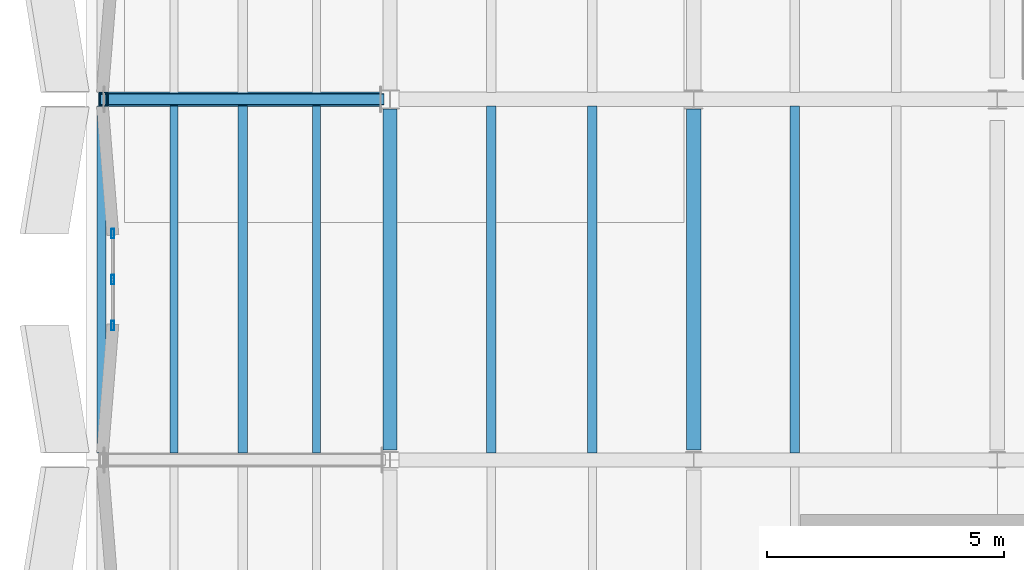
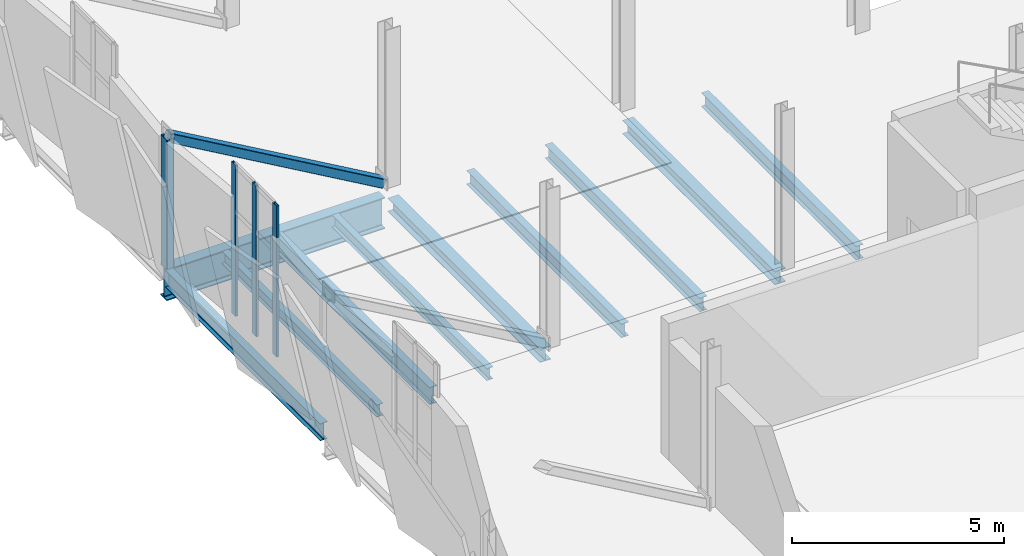
# One storey, part 35 of 172: 10 beams, 5 members, 1 element without a shape of its own.
"""IFC4 building model written with IfcOpenShell, lengths in metres."""

from ifc_helpers import new_model, si_unit, direction, frame, origin, origin_2d, place, context, subcontext, project, spatial, hollow_rectangle, i_section, extrude, material, material_profile, profile_set, type_object, element, aggregate, save


model = new_model("IFC4")

# Units and contexts
model_context = context("Model", 3, precision=1e-05, world=origin(), true_north=direction((0.0, 1.0)))
body_context = subcontext(model_context, "Body", "Model", "MODEL_VIEW")
ifc_project = project(units=[si_unit("LENGTHUNIT", "METRE"), si_unit("AREAUNIT", "SQUARE_METRE"), si_unit("VOLUMEUNIT", "CUBIC_METRE"), si_unit("PLANEANGLEUNIT", "RADIAN"), si_unit("MASSUNIT", "GRAM", prefix="KILO")], contexts=[model_context])

# Site, building, storey
site_placement = place(None, origin())
site = spatial("IfcSite", under=ifc_project, at=site_placement, CompositionType="ELEMENT")
building_placement = place(site_placement, origin())
building = spatial("IfcBuilding", under=site, at=building_placement, Name="Shengluoqiao Park Theatre", CompositionType="ELEMENT")
storey_placement = place(building_placement, frame((0.0, 0.0, 5.39990234375)))
storey = spatial("IfcBuildingStorey", under=building, at=storey_placement, Name="L01", CompositionType="ELEMENT", Elevation=5.39990234375)

# Curtain wall, members
ifc_material_1 = material(Name="Aluminium 6063-T6", Category="aluminium")
curtain_wall_type = type_object("IfcCurtainWallType", Name="ENV-CW-FOYER", PredefinedType="NOTDEFINED", material=ifc_material_1)
curtain_wall_placement = place(storey_placement, origin())
curtain_wall = element("IfcCurtainWall", 1, at=curtain_wall_placement, inside=storey, type_object=curtain_wall_type, Name="L01 Curtain Wall CW-L01-SLIT-0235", PredefinedType="NOTDEFINED")
ifc_material_profile_1 = material_profile(ifc_material_1, hollow_rectangle(XDim=0.06494140625, YDim=0.199951171875, WallThickness=0.0048828125, InnerFilletRadius=0.0048828125, OuterFilletRadius=0.010009765625, at=origin_2d()), Name="ALU MULLION 200x65x5")
ifc_profile_set_1 = profile_set([ifc_material_profile_1], Name="Aluminium 6063-T6")
member_type_1 = type_object("IfcMemberType", Name="ENV-MUL-200", PredefinedType="MULLION", material=ifc_profile_set_1)
member_1_placement = place(storey_placement, frame((0.56005859375, 56.032470703125, 0.0), z_axis=(0.0, 0.0, 1.0), x_axis=(-1.0, 0.0, 0.0)))
member_1 = element("IfcMember", 2, at=member_1_placement, type_object=member_type_1, Name="CW-01 mullion 1", PredefinedType="MULLION", context=body_context, shape_type="SweptSolid", body=[
    extrude(hollow_rectangle(XDim=0.06494140625, YDim=0.199951171875, WallThickness=0.0048828125, InnerFilletRadius=0.0048828125, OuterFilletRadius=0.010009765625, at=origin_2d()), origin(), (0.0, 0.0, 1.0), 4.360107421875),
])
member_2_placement = place(storey_placement, frame((0.56005859375, 57.0, 0.0), z_axis=(0.0, 0.0, 1.0), x_axis=(-1.0, 0.0, 0.0)))
member_2 = element("IfcMember", 3, at=member_2_placement, type_object=member_type_1, Name="CW-01 mullion 2", PredefinedType="MULLION", context=body_context, shape_type="SweptSolid", body=[
    extrude(hollow_rectangle(XDim=0.06494140625, YDim=0.199951171875, WallThickness=0.0048828125, InnerFilletRadius=0.0048828125, OuterFilletRadius=0.010009765625, at=origin_2d()), origin(), (0.0, 0.0, 1.0), 4.360107421875),
])
member_3_placement = place(storey_placement, frame((0.56005859375, 57.967529296875, 0.0), z_axis=(0.0, 0.0, 1.0), x_axis=(-1.0, 0.0, 0.0)))
member_3 = element("IfcMember", 4, at=member_3_placement, type_object=member_type_1, Name="CW-01 mullion 3", PredefinedType="MULLION", context=body_context, shape_type="SweptSolid", body=[
    extrude(hollow_rectangle(XDim=0.06494140625, YDim=0.199951171875, WallThickness=0.0048828125, InnerFilletRadius=0.0048828125, OuterFilletRadius=0.010009765625, at=origin_2d()), origin(), (0.0, 0.0, 1.0), 4.360107421875),
])
aggregate(curtain_wall, [member_1, member_2, member_3])

# Beams
ifc_material_2 = material(Name="Steel Q355", Category="steel")
ifc_material_profile_2 = material_profile(ifc_material_2, i_section(OverallWidth=0.300048828125, OverallDepth=0.389892578125, WebThickness=0.010009765625, FlangeThickness=0.01611328125, FilletRadius=0.01806640625, at=origin_2d()), Name="HM 390x300x10x16")
ifc_profile_set_2 = profile_set([ifc_material_profile_2], Name="Steel Q355")
beam_type_1 = type_object("IfcBeamType", Name="STR-BM-G-HM390", PredefinedType="BEAM", material=ifc_profile_set_2)
for number, where, z_axis, x_axis, name in (
    (5, (6.39990234375, 53.407958984375, -0.434814453125), (0.0, 1.0, 0.0), (-1.0, 0.0, 0.0), "L01 Transverse Girder 00457"),
    (6, (12.800048828125, 53.407958984375, -0.434814453125), (0.0, 1.0, 0.0), (-1.0, 0.0, 0.0), "L01 Transverse Girder 00460"),
):
    element("IfcBeam", number, at=place(storey_placement, frame(where, z_axis=z_axis, x_axis=x_axis)), inside=storey, type_object=beam_type_1, Name=name, PredefinedType="BEAM", context=body_context, shape_type="SweptSolid", body=[
        extrude(i_section(OverallWidth=0.300048828125, OverallDepth=0.389892578125, WebThickness=0.010009765625, FlangeThickness=0.01611328125, FilletRadius=0.01806640625, at=origin_2d()), origin(), (0.0, 0.0, 1.0), 7.191162109375),
    ])
ifc_material_3 = material(Name="Steel Q390", Category="steel")
ifc_material_profile_3 = material_profile(ifc_material_3, i_section(OverallWidth=0.300048828125, OverallDepth=0.89990234375, WebThickness=0.01611328125, FlangeThickness=0.028076171875, FilletRadius=0.028076171875, at=origin_2d()), Name="HN 900x300x16x28")
ifc_profile_set_3 = profile_set([ifc_material_profile_3], Name="Steel Q390")
beam_type_2 = type_object("IfcBeamType", Name="STR-BM-G-HN900", PredefinedType="BEAM", material=ifc_profile_set_3)
beam_placement = place(storey_placement, frame((0.260009765625, 60.800048828125, -0.68994140625), z_axis=(1.0, 0.0, 0.0), x_axis=(0.0, 1.0, 0.0)))
element("IfcBeam", 7, at=beam_placement, inside=storey, type_object=beam_type_2, Name="CT-V5-1 L01 Cantilever Overhang Chord", PredefinedType="BEAM", context=body_context, shape_type="SweptSolid", body=[
    extrude(i_section(OverallWidth=0.300048828125, OverallDepth=0.89990234375, WebThickness=0.01611328125, FlangeThickness=0.028076171875, FilletRadius=0.028076171875, at=origin_2d()), origin(), (0.0, 0.0, 1.0), 5.949462890625),
])
ifc_material_profile_4 = material_profile(ifc_material_2, i_section(OverallWidth=0.175048828125, OverallDepth=0.35009765625, WebThickness=0.007080078125, FlangeThickness=0.010986328125, FilletRadius=0.013916015625, at=origin_2d()), Name="HN 350x175x7x11")
ifc_profile_set_4 = profile_set([ifc_material_profile_4], Name="Steel Q355")
beam_type_3 = type_object("IfcBeamType", Name="STR-BM-J-HN350", PredefinedType="JOIST", material=ifc_profile_set_4)
for number, where, z_axis, x_axis, name in (
    (8, (1.85009765625, 53.343994140625, -0.414794921875), (0.0, 1.0, 0.0), (-1.0, 0.0, 0.0), "V5 L01 Cantilever Joist 01-18"),
    (9, (4.85009765625, 53.343994140625, -0.414794921875), (0.0, 1.0, 0.0), (-1.0, 0.0, 0.0), "V5 L01 Cantilever Joist 00046"),
):
    element("IfcBeam", number, at=place(storey_placement, frame(where, z_axis=z_axis, x_axis=x_axis)), inside=storey, type_object=beam_type_3, Name=name, PredefinedType="JOIST", context=body_context, shape_type="SweptSolid", body=[
        extrude(i_section(OverallWidth=0.175048828125, OverallDepth=0.35009765625, WebThickness=0.007080078125, FlangeThickness=0.010986328125, FilletRadius=0.013916015625, at=origin_2d()), origin(), (0.0, 0.0, 1.0), 7.31201171875),
    ])
ifc_material_profile_5 = material_profile(ifc_material_2, i_section(OverallWidth=0.199951171875, OverallDepth=0.39990234375, WebThickness=0.008056640625, FlangeThickness=0.012939453125, FilletRadius=0.01611328125, at=origin_2d()), Name="HN 400x200x8x13")
ifc_profile_set_5 = profile_set([ifc_material_profile_5], Name="Steel Q355")
beam_type_4 = type_object("IfcBeamType", Name="STR-BM-J-HN400", PredefinedType="JOIST", material=ifc_profile_set_5)
for number, where, z_axis, x_axis, name in (
    (10, (8.533203125, 53.344970703125, -0.43994140625), (0.0, 1.0, 0.0), (-1.0, 0.0, 0.0), "L01 Composite Joist 00468"),
    (11, (10.666748046875, 53.344970703125, -0.43994140625), (0.0, 1.0, 0.0), (-1.0, 0.0, 0.0), "L01 Composite Joist 00469"),
    (12, (14.933349609375, 53.344970703125, -0.43994140625), (0.0, 1.0, 0.0), (-1.0, 0.0, 0.0), "L01 Composite Joist 00474"),
):
    element("IfcBeam", number, at=place(storey_placement, frame(where, z_axis=z_axis, x_axis=x_axis)), inside=storey, type_object=beam_type_4, Name=name, PredefinedType="JOIST", context=body_context, shape_type="SweptSolid", body=[
        extrude(i_section(OverallWidth=0.199951171875, OverallDepth=0.39990234375, WebThickness=0.008056640625, FlangeThickness=0.012939453125, FilletRadius=0.01611328125, at=origin_2d()), origin(), (0.0, 0.0, 1.0), 7.31005859375),
    ])
ifc_material_profile_6 = material_profile(ifc_material_2, i_section(OverallWidth=0.198974609375, OverallDepth=0.49609375, WebThickness=0.009033203125, FlangeThickness=0.013916015625, FilletRadius=0.01806640625, at=origin_2d()), Name="HN 496x199x9x14")
ifc_profile_set_6 = profile_set([ifc_material_profile_6], Name="Steel Q355")
beam_type_5 = type_object("IfcBeamType", Name="STR-BM-SP-HN496", PredefinedType="SPANDREL", material=ifc_profile_set_6)
for number, where, z_axis, x_axis, name in (
    (13, (0.320068359375, 53.343994140625, -0.48779296875), (0.0, 1.0, 0.0), (-1.0, 0.0, 0.0), "V5 L01 Cantilever Spandrel L01-3"),
    (14, (3.300048828125, 53.343994140625, -0.48779296875), (0.0, 1.0, 0.0), (-1.0, 0.0, 0.0), "V5 L01 Cantilever Spandrel 01-33"),
):
    element("IfcBeam", number, at=place(storey_placement, frame(where, z_axis=z_axis, x_axis=x_axis)), inside=storey, type_object=beam_type_5, Name=name, PredefinedType="SPANDREL", context=body_context, shape_type="SweptSolid", body=[
        extrude(i_section(OverallWidth=0.198974609375, OverallDepth=0.49609375, WebThickness=0.009033203125, FlangeThickness=0.013916015625, FilletRadius=0.01806640625, at=origin_2d()), origin(), (0.0, 0.0, 1.0), 7.31201171875),
    ])

# Members
ifc_material_profile_7 = material_profile(ifc_material_2, hollow_rectangle(XDim=0.25, YDim=0.25, WallThickness=0.011962890625, InnerFilletRadius=0.011962890625, OuterFilletRadius=0.02392578125, at=origin_2d()), Name="RHS 250x250x12")
ifc_profile_set_7 = profile_set([ifc_material_profile_7], Name="Steel Q355")
member_type_2 = type_object("IfcMemberType", Name="STR-MEM-BRR-250", PredefinedType="BRACE", material=ifc_profile_set_7)
member_4_placement = place(storey_placement, frame((6.215087890625, 60.800048828125, 0.1201171875), z_axis=(-0.866056898016, 0.0, 0.499945446423), x_axis=(0.0, -1.0, 0.0)))
element("IfcMember", 15, at=member_4_placement, inside=storey, type_object=member_type_2, Name="CT-V5-1 L01 Cantilever Raking Strut", PredefinedType="BRACE", context=body_context, shape_type="SweptSolid", body=[
    extrude(hollow_rectangle(XDim=0.25, YDim=0.25, WallThickness=0.011962890625, InnerFilletRadius=0.011962890625, OuterFilletRadius=0.02392578125, at=origin_2d()), origin(), (0.0, 0.0, 1.0), 6.760498046875),
])
ifc_material_profile_8 = material_profile(ifc_material_3, hollow_rectangle(XDim=0.199951171875, YDim=0.300048828125, WallThickness=0.011962890625, InnerFilletRadius=0.011962890625, OuterFilletRadius=0.02392578125, at=origin_2d()), Name="RHS 300x200x12")
ifc_profile_set_8 = profile_set([ifc_material_profile_8], Name="Steel Q390")
member_type_3 = type_object("IfcMemberType", Name="STR-MEM-PTR-302", PredefinedType="POST", material=ifc_profile_set_8)
member_5_placement = place(storey_placement, frame((0.360107421875, 60.800048828125, -0.260009765625), z_axis=(0.0, 0.0, 1.0), x_axis=(1.0, 0.0, 0.0)))
element("IfcMember", 16, at=member_5_placement, inside=storey, type_object=member_type_3, Name="CT-V5-1 L01 Cantilever Tip Post", PredefinedType="POST", context=body_context, shape_type="SweptSolid", body=[
    extrude(hollow_rectangle(XDim=0.199951171875, YDim=0.300048828125, WallThickness=0.011962890625, InnerFilletRadius=0.011962890625, OuterFilletRadius=0.02392578125, at=origin_2d()), origin(), (0.0, 0.0, 1.0), 3.739990234375),
])

save(model, "model.ifc")
